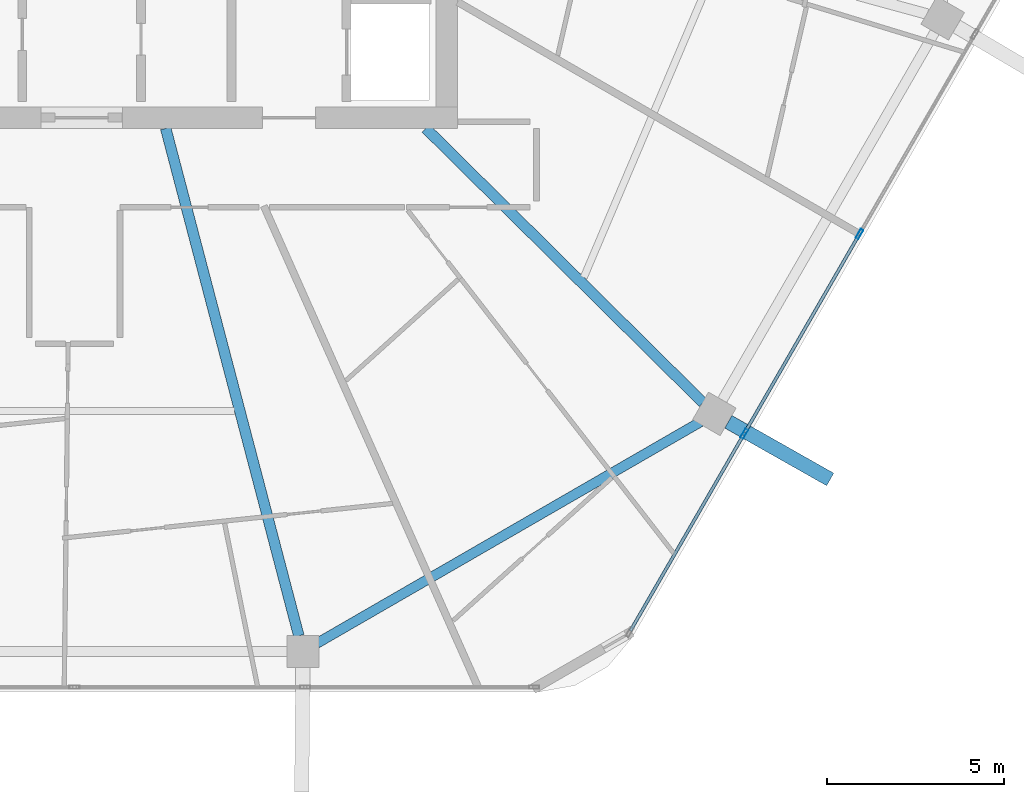
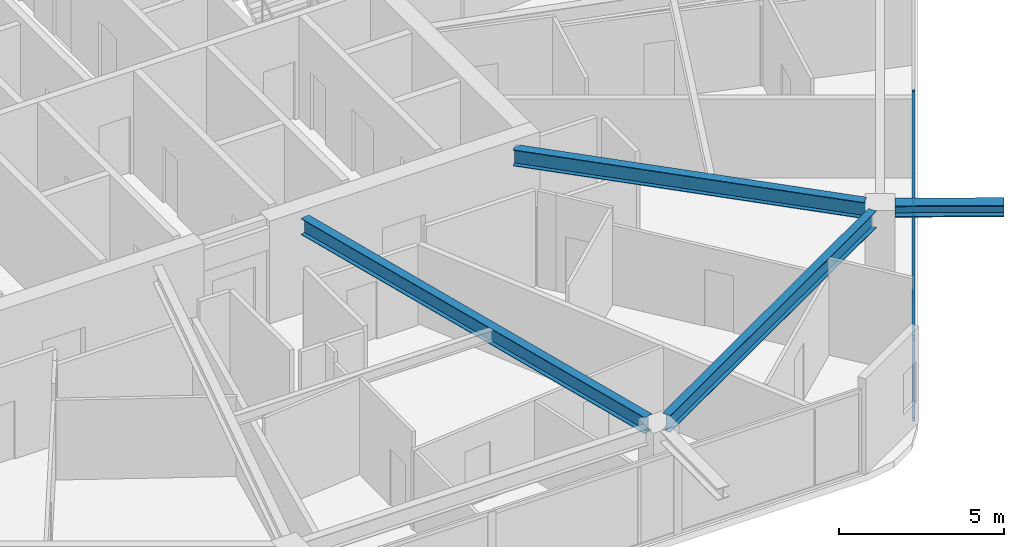
# One storey, part 8 of 26: 6 members, 4 beams, 1 element without a shape of its own.
"""IFC4 building model written with IfcOpenShell, lengths in metres."""

from ifc_helpers import new_model, si_unit, direction, frame, origin, origin_2d, place, context, subcontext, project, spatial, hollow_rectangle, i_section, extrude, material, material_profile, profile_set, type_object, element, aggregate, save


model = new_model("IFC4")

# Units and contexts
model_context = context("Model", 3, precision=1e-05, world=origin(), true_north=direction((0.0, 1.0)))
body_context = subcontext(model_context, "Body", "Model", "MODEL_VIEW")
ifc_project = project(units=[si_unit("LENGTHUNIT", "METRE"), si_unit("AREAUNIT", "SQUARE_METRE"), si_unit("VOLUMEUNIT", "CUBIC_METRE"), si_unit("PLANEANGLEUNIT", "RADIAN"), si_unit("MASSUNIT", "GRAM", prefix="KILO")], contexts=[model_context])

# Site, building, storey
site_placement = place(None, origin())
site = spatial("IfcSite", under=ifc_project, at=site_placement, CompositionType="ELEMENT")
building_placement = place(site_placement, origin())
building = spatial("IfcBuilding", under=site, at=building_placement, Name="Zuhravey Tower", CompositionType="ELEMENT")
storey_placement = place(building_placement, frame((0.0, 0.0, 250.199951171875)))
storey = spatial("IfcBuildingStorey", under=building, at=storey_placement, Name="L63", CompositionType="ELEMENT", Elevation=250.199951171875)

# Curtain wall, members
ifc_material_1 = material(Name="Thermally broken anodised aluminium", Category="aluminium")
curtain_wall_type = type_object("IfcCurtainWallType", Name="Zone 3-4 High-Rise Curtain Wall CW4", PredefinedType="NOTDEFINED", material=ifc_material_1)
curtain_wall_placement = place(storey_placement, origin())
curtain_wall = element("IfcCurtainWall", 1, at=curtain_wall_placement, inside=storey, type_object=curtain_wall_type, Name="L63 CW4 CW-L63-F6-1", PredefinedType="NOTDEFINED")
ifc_material_2 = material(Name="Anodised aluminium", Category="aluminium")
ifc_material_profile_1 = material_profile(ifc_material_2, hollow_rectangle(XDim=0.090087890625, YDim=0.284912109375, WallThickness=0.0048828125, at=origin_2d()), Name="ALU-RHS-90x285x5")
ifc_profile_set_1 = profile_set([ifc_material_profile_1], Name="Anodised aluminium")
member_type_1 = type_object("IfcMemberType", Name="Curtain-Wall Mullion 90x180", PredefinedType="MULLION", material=ifc_profile_set_1)
member_1_placement = place(storey_placement, frame((58.138671875, 19.21826171875, 0.0), z_axis=(0.0, 0.0, 1.0), x_axis=(0.866024851021, -0.500000957414, 0.0)))
member_1 = element("IfcMember", 2, at=member_1_placement, type_object=member_type_1, Name="CW4 mullion 3", PredefinedType="MULLION", context=body_context, shape_type="SweptSolid", body=[
    extrude(hollow_rectangle(XDim=0.090087890625, YDim=0.284912109375, WallThickness=0.0048828125, at=origin_2d()), origin(), (0.0, 0.0, 1.0), 3.1220703125),
])
member_2_placement = place(storey_placement, frame((54.885498046875, 13.58349609375, 0.0), z_axis=(0.0, 0.0, 1.0), x_axis=(0.866024851021, -0.500000957414, 0.0)))
member_2 = element("IfcMember", 3, at=member_2_placement, type_object=member_type_1, Name="CW4 mullion 4", PredefinedType="MULLION", context=body_context, shape_type="SweptSolid", body=[
    extrude(hollow_rectangle(XDim=0.090087890625, YDim=0.284912109375, WallThickness=0.0048828125, at=origin_2d()), origin(), (0.0, 0.0, 1.0), 3.1220703125),
])
ifc_material_profile_2 = material_profile(ifc_material_2, hollow_rectangle(XDim=0.090087890625, YDim=0.14990234375, WallThickness=0.0048828125, at=origin_2d()), Name="ALU-RHS-90x150x5")
ifc_profile_set_2 = profile_set([ifc_material_profile_2], Name="Anodised aluminium")
member_type_2 = type_object("IfcMemberType", Name="Curtain-Wall Transom 90x150", PredefinedType="USERDEFINED", material=ifc_profile_set_2)
member_3_placement = place(storey_placement, frame((58.1162109375, 19.17919921875, 0.045166015625), z_axis=(-0.500014493347, -0.866017035885, 0.0), x_axis=(0.866017035885, -0.500014493347, 0.0)))
member_3 = element("IfcMember", 4, at=member_3_placement, type_object=member_type_2, Name="CW4 transom 3.1", ObjectType="TRANSOM", PredefinedType="USERDEFINED", context=body_context, shape_type="SweptSolid", body=[
    extrude(hollow_rectangle(XDim=0.090087890625, YDim=0.14990234375, WallThickness=0.0048828125, at=origin_2d()), origin(), (0.0, 0.0, 1.0), 6.416259765625),
])
member_4_placement = place(storey_placement, frame((58.1162109375, 19.17919921875, 3.0771484375), z_axis=(-0.500014493347, -0.866017035885, 0.0), x_axis=(0.866017035885, -0.500014493347, 0.0)))
member_4 = element("IfcMember", 5, at=member_4_placement, type_object=member_type_2, Name="CW4 transom 3.2", ObjectType="TRANSOM", PredefinedType="USERDEFINED", context=body_context, shape_type="SweptSolid", body=[
    extrude(hollow_rectangle(XDim=0.090087890625, YDim=0.14990234375, WallThickness=0.0048828125, at=origin_2d()), origin(), (0.0, 0.0, 1.0), 6.416259765625),
])
member_5_placement = place(storey_placement, frame((54.863037109375, 13.544677734375, 0.045166015625), z_axis=(-0.499980071345, -0.866036909293, 0.0), x_axis=(0.866036909293, -0.499980071345, 0.0)))
member_5 = element("IfcMember", 6, at=member_5_placement, type_object=member_type_2, Name="CW4 transom 4.1", ObjectType="TRANSOM", PredefinedType="USERDEFINED", context=body_context, shape_type="SweptSolid", body=[
    extrude(hollow_rectangle(XDim=0.090087890625, YDim=0.14990234375, WallThickness=0.0048828125, at=origin_2d()), origin(), (0.0, 0.0, 1.0), 6.371337890625),
])
member_6_placement = place(storey_placement, frame((54.863037109375, 13.544677734375, 3.0771484375), z_axis=(-0.499980071345, -0.866036909293, 0.0), x_axis=(0.866036909293, -0.499980071345, 0.0)))
member_6 = element("IfcMember", 7, at=member_6_placement, type_object=member_type_2, Name="CW4 transom 4.2", ObjectType="TRANSOM", PredefinedType="USERDEFINED", context=body_context, shape_type="SweptSolid", body=[
    extrude(hollow_rectangle(XDim=0.090087890625, YDim=0.14990234375, WallThickness=0.0048828125, at=origin_2d()), origin(), (0.0, 0.0, 1.0), 6.371337890625),
])
aggregate(curtain_wall, [member_1, member_2, member_3, member_4, member_5, member_6])

# Beams
ifc_material_3 = material(Name="Steel SM460", Category="steel")
ifc_material_profile_3 = material_profile(ifc_material_3, i_section(OverallWidth=0.406982421875, OverallDepth=0.427978515625, WebThickness=0.02001953125, FlangeThickness=0.034912109375, at=origin_2d()), Name="H-428x407x20x35")
ifc_profile_set_3 = profile_set([ifc_material_profile_3], Name="Steel SM460")
beam_type_1 = type_object("IfcBeamType", Name="Exoskeleton Node Tie Beam H428x407", PredefinedType="BEAM", material=ifc_profile_set_3)
beam_1_placement = place(storey_placement, frame((54.438720703125, 13.921875, 3.3359375), z_axis=(0.870374073409, -0.492391076622, 0.0), x_axis=(0.492391076622, 0.870374073409, 0.0)))
element("IfcBeam", 8, at=beam_1_placement, inside=storey, type_object=beam_type_1, Name="L63 Exoskeleton Node Tie NT1-11", PredefinedType="BEAM", context=body_context, shape_type="SweptSolid", body=[
    extrude(i_section(OverallWidth=0.406982421875, OverallDepth=0.427978515625, WebThickness=0.02001953125, FlangeThickness=0.034912109375, at=origin_2d()), origin(), (0.0, 0.0, 1.0), 3.30126953125),
])
ifc_material_4 = material(Name="Steel SM355", Category="steel")
ifc_material_profile_4 = material_profile(ifc_material_4, i_section(OverallWidth=0.280029296875, OverallDepth=0.6201171875, WebThickness=0.011962890625, FlangeThickness=0.02001953125, at=origin_2d()), Name="H-620x280x12x20")
ifc_profile_set_4 = profile_set([ifc_material_profile_4], Name="Steel SM355")
beam_type_2 = type_object("IfcBeamType", Name="Perimeter Ring Beam H620x280", PredefinedType="BEAM", material=ifc_profile_set_4)
beam_2_placement = place(storey_placement, frame((42.833251953125, 7.6728515625, 3.239990234375), z_axis=(0.866025131093, 0.500000472315, 0.0), x_axis=(-0.500000472315, 0.866025131093, 0.0)))
element("IfcBeam", 9, at=beam_2_placement, inside=storey, type_object=beam_type_2, Name="L63 PB3 BM-L63-PB-10", PredefinedType="BEAM", context=body_context, shape_type="SweptSolid", body=[
    extrude(i_section(OverallWidth=0.280029296875, OverallDepth=0.6201171875, WebThickness=0.011962890625, FlangeThickness=0.02001953125, at=origin_2d()), origin(), (0.0, 0.0, 1.0), 12.49169921875),
])
ifc_material_profile_5 = material_profile(ifc_material_4, i_section(OverallWidth=0.300048828125, OverallDepth=0.60009765625, WebThickness=0.011962890625, FlangeThickness=0.02001953125, at=origin_2d()), Name="H-600x300x12x20")
ifc_profile_set_5 = profile_set([ifc_material_profile_5], Name="Steel SM355")
beam_type_3 = type_object("IfcBeamType", Name="Radial Primary Girder H600x300", PredefinedType="BEAM", material=ifc_profile_set_5)
beam_3_placement = place(storey_placement, frame((38.571533203125, 22.197021484375, 3.25), z_axis=(0.253731415841, -0.967274712073, 0.0), x_axis=(0.967274712073, 0.253731415841, 0.0)))
element("IfcBeam", 10, at=beam_3_placement, inside=storey, type_object=beam_type_3, Name="L63 RG3 BM-L63-RAD-10", PredefinedType="BEAM", context=body_context, shape_type="SweptSolid", body=[
    extrude(i_section(OverallWidth=0.300048828125, OverallDepth=0.60009765625, WebThickness=0.011962890625, FlangeThickness=0.02001953125, at=origin_2d()), origin(), (0.0, 0.0, 1.0), 14.796630859375),
])
beam_4_placement = place(storey_placement, frame((45.90673828125, 22.197021484375, 3.25), z_axis=(0.710816516282, -0.703377480576, 0.0), x_axis=(0.703377480576, 0.710816516282, 0.0)))
element("IfcBeam", 11, at=beam_4_placement, inside=storey, type_object=beam_type_3, Name="L63 RG3 BM-L63-RAD-11", PredefinedType="BEAM", context=body_context, shape_type="SweptSolid", body=[
    extrude(i_section(OverallWidth=0.300048828125, OverallDepth=0.60009765625, WebThickness=0.011962890625, FlangeThickness=0.02001953125, at=origin_2d()), origin(), (0.0, 0.0, 1.0), 10.994384765625),
])

save(model, "model.ifc")
